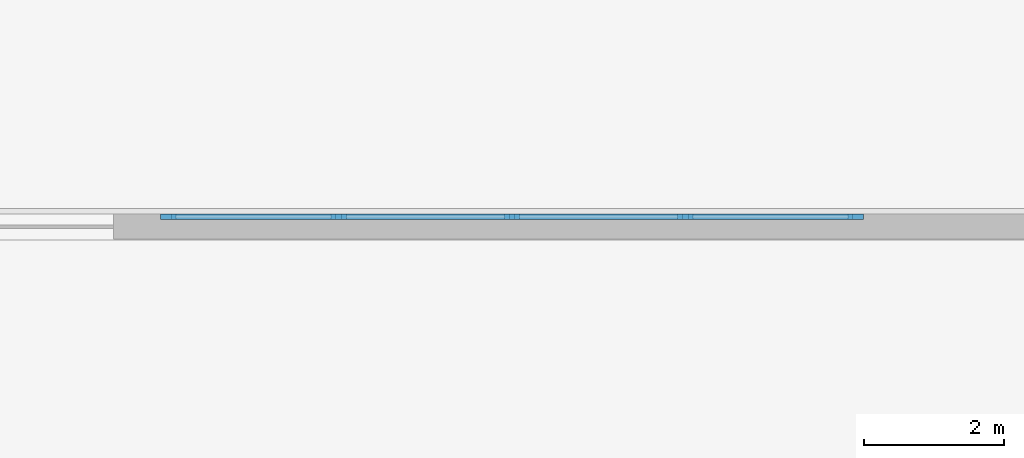
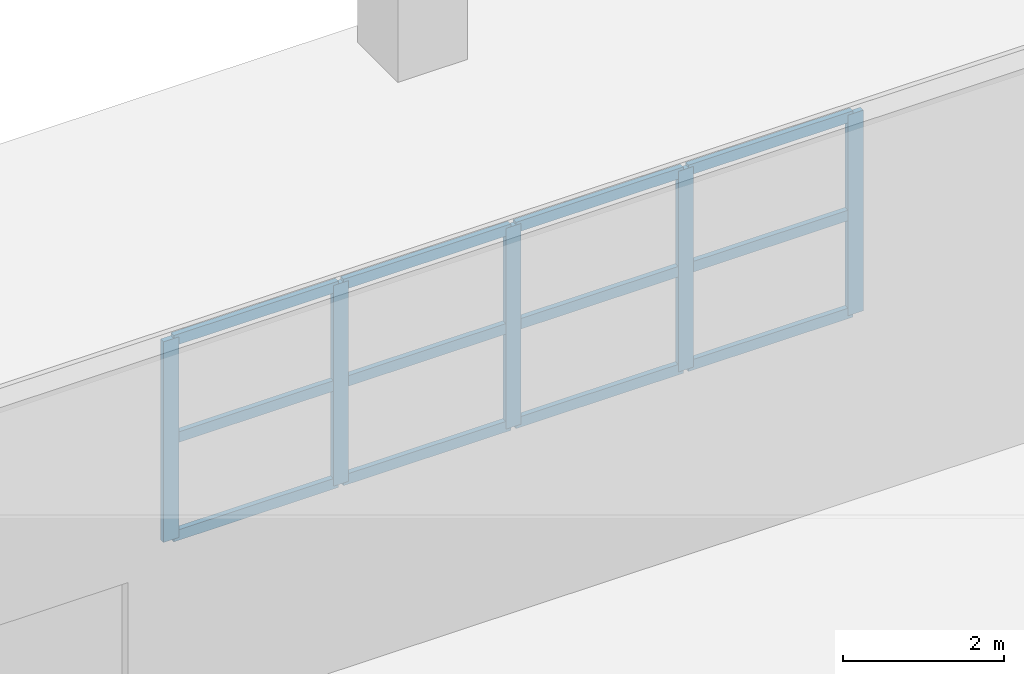
# One storey, part 7 of 24: 17 members, 1 element without a shape of its own.
"""IFC4 building model written with IfcOpenShell, lengths in metres."""

from ifc_helpers import new_model, si_unit, direction, frame, origin, origin_2d, place, context, subcontext, project, spatial, rectangle, extrude, material, layer, layer_set, material_profile, profile_set, type_object, element, aggregate, save


model = new_model("IFC4")

# Units and contexts
model_context = context("Model", 3, precision=1e-05, world=origin(), true_north=direction((0.0, 1.0)))
body_context = subcontext(model_context, "Body", "Model", "MODEL_VIEW")
ifc_project = project(units=[si_unit("LENGTHUNIT", "METRE"), si_unit("AREAUNIT", "SQUARE_METRE"), si_unit("VOLUMEUNIT", "CUBIC_METRE"), si_unit("PLANEANGLEUNIT", "RADIAN"), si_unit("MASSUNIT", "GRAM", prefix="KILO")], contexts=[model_context])

# Site, building, storey
site_placement = place(None, origin())
site = spatial("IfcSite", under=ifc_project, at=site_placement, CompositionType="ELEMENT")
building_placement = place(site_placement, origin())
building = spatial("IfcBuilding", under=site, at=building_placement, Name="Apsidion Concourse Tower", CompositionType="ELEMENT")
storey_placement = place(building_placement, origin())
storey = spatial("IfcBuildingStorey", under=building, at=storey_placement, Name="L00", CompositionType="ELEMENT", Elevation=0.0)

# Curtain wall, members
ifc_material_1 = material(Name="Insulated laminated low-E glass", Category="glass")
ifc_layer = layer(ifc_material_1, 0.18994140625)
ifc_layer_set = layer_set([ifc_layer], Name="Insulated laminated low-E glass")
curtain_wall_type = type_object("IfcCurtainWallType", Name="CW-SYS-01", PredefinedType="NOTDEFINED", material=ifc_layer_set)
curtain_wall_placement = place(storey_placement, origin())
curtain_wall = element("IfcCurtainWall", 1, at=curtain_wall_placement, inside=storey, type_object=curtain_wall_type, Name="L00 Podium Glazed Curtain Wall N", PredefinedType="NOTDEFINED")
ifc_material_2 = material(Name="Anodised aluminium EN AW-6063 T6", Category="aluminium")
ifc_material_profile_1 = material_profile(ifc_material_2, rectangle(XDim=0.074951171875, YDim=0.219970703125, at=origin_2d()), Name="ALU MULLION 75x220")
ifc_profile_set_1 = profile_set([ifc_material_profile_1], Name="Anodised aluminium EN AW-6063 T6")
member_type_1 = type_object("IfcMemberType", Name="CWM-75X220", PredefinedType="MULLION", material=ifc_profile_set_1)
member_1_placement = place(storey_placement, frame((-4.91845703125, 30.43994140625, 2.60009765625), z_axis=(0.0, 0.0, 1.0), x_axis=(0.0, 1.0, 0.0)))
member_1 = element("IfcMember", 2, at=member_1_placement, type_object=member_type_1, Name="CW-01 mullion 1", PredefinedType="MULLION", context=body_context, shape_type="SweptSolid", body=[
    extrude(rectangle(XDim=0.074951171875, YDim=0.219970703125, at=origin_2d()), origin(), (0.0, 0.0, 1.0), 3.0498046875),
])
member_2_placement = place(storey_placement, frame((-2.47802734375, 30.43994140625, 2.60009765625), z_axis=(0.0, 0.0, 1.0), x_axis=(0.0, 1.0, 0.0)))
member_2 = element("IfcMember", 3, at=member_2_placement, type_object=member_type_1, Name="CW-01 mullion 2", PredefinedType="MULLION", context=body_context, shape_type="SweptSolid", body=[
    extrude(rectangle(XDim=0.074951171875, YDim=0.219970703125, at=origin_2d()), origin(), (0.0, 0.0, 1.0), 3.0498046875),
])
member_3_placement = place(storey_placement, frame((0.0, 30.43994140625, 2.60009765625), z_axis=(0.0, 0.0, 1.0), x_axis=(0.0, 1.0, 0.0)))
member_3 = element("IfcMember", 4, at=member_3_placement, type_object=member_type_1, Name="CW-01 mullion 3", PredefinedType="MULLION", context=body_context, shape_type="SweptSolid", body=[
    extrude(rectangle(XDim=0.074951171875, YDim=0.219970703125, at=origin_2d()), origin(), (0.0, 0.0, 1.0), 3.0498046875),
])
member_4_placement = place(storey_placement, frame((2.47802734375, 30.43994140625, 2.60009765625), z_axis=(0.0, 0.0, 1.0), x_axis=(0.0, 1.0, 0.0)))
member_4 = element("IfcMember", 5, at=member_4_placement, type_object=member_type_1, Name="CW-01 mullion 4", PredefinedType="MULLION", context=body_context, shape_type="SweptSolid", body=[
    extrude(rectangle(XDim=0.074951171875, YDim=0.219970703125, at=origin_2d()), origin(), (0.0, 0.0, 1.0), 3.0498046875),
])
member_5_placement = place(storey_placement, frame((4.91845703125, 30.43994140625, 2.60009765625), z_axis=(0.0, 0.0, 1.0), x_axis=(0.0, 1.0, 0.0)))
member_5 = element("IfcMember", 6, at=member_5_placement, type_object=member_type_1, Name="CW-01 mullion 5", PredefinedType="MULLION", context=body_context, shape_type="SweptSolid", body=[
    extrude(rectangle(XDim=0.074951171875, YDim=0.219970703125, at=origin_2d()), origin(), (0.0, 0.0, 1.0), 3.0498046875),
])
ifc_material_profile_2 = material_profile(ifc_material_2, rectangle(XDim=0.074951171875, YDim=0.159912109375, at=origin_2d()), Name="ALU TRANSOM 75x160")
ifc_profile_set_2 = profile_set([ifc_material_profile_2], Name="Anodised aluminium EN AW-6063 T6")
member_type_2 = type_object("IfcMemberType", Name="CWT-75X160", PredefinedType="USERDEFINED", material=ifc_profile_set_2)
member_6_placement = place(storey_placement, frame((-4.881103515625, 30.43994140625, 2.637451171875), z_axis=(1.0, 0.0, 0.0), x_axis=(0.0, 1.0, 0.0)))
member_6 = element("IfcMember", 7, at=member_6_placement, type_object=member_type_2, Name="CW-01 transom 1.1", ObjectType="TRANSOM", PredefinedType="USERDEFINED", context=body_context, shape_type="SweptSolid", body=[
    extrude(rectangle(XDim=0.074951171875, YDim=0.159912109375, at=origin_2d()), origin(), (0.0, 0.0, 1.0), 2.36572265625),
])
member_7_placement = place(storey_placement, frame((-4.881103515625, 30.43994140625, 4.125), z_axis=(1.0, 0.0, 0.0), x_axis=(0.0, 1.0, 0.0)))
member_7 = element("IfcMember", 8, at=member_7_placement, type_object=member_type_2, Name="CW-01 transom 1.2", ObjectType="TRANSOM", PredefinedType="USERDEFINED", context=body_context, shape_type="SweptSolid", body=[
    extrude(rectangle(XDim=0.074951171875, YDim=0.159912109375, at=origin_2d()), origin(), (0.0, 0.0, 1.0), 2.36572265625),
])
member_8_placement = place(storey_placement, frame((-4.881103515625, 30.43994140625, 5.612548828125), z_axis=(1.0, 0.0, 0.0), x_axis=(0.0, 1.0, 0.0)))
member_8 = element("IfcMember", 9, at=member_8_placement, type_object=member_type_2, Name="CW-01 transom 1.3", ObjectType="TRANSOM", PredefinedType="USERDEFINED", context=body_context, shape_type="SweptSolid", body=[
    extrude(rectangle(XDim=0.074951171875, YDim=0.159912109375, at=origin_2d()), origin(), (0.0, 0.0, 1.0), 2.36572265625),
])
member_9_placement = place(storey_placement, frame((-2.4404296875, 30.43994140625, 2.637451171875), z_axis=(1.0, 0.0, 0.0), x_axis=(0.0, 1.0, 0.0)))
member_9 = element("IfcMember", 10, at=member_9_placement, type_object=member_type_2, Name="CW-01 transom 2.1", ObjectType="TRANSOM", PredefinedType="USERDEFINED", context=body_context, shape_type="SweptSolid", body=[
    extrude(rectangle(XDim=0.074951171875, YDim=0.159912109375, at=origin_2d()), origin(), (0.0, 0.0, 1.0), 2.40283203125),
])
member_10_placement = place(storey_placement, frame((-2.4404296875, 30.43994140625, 4.125), z_axis=(1.0, 0.0, 0.0), x_axis=(0.0, 1.0, 0.0)))
member_10 = element("IfcMember", 11, at=member_10_placement, type_object=member_type_2, Name="CW-01 transom 2.2", ObjectType="TRANSOM", PredefinedType="USERDEFINED", context=body_context, shape_type="SweptSolid", body=[
    extrude(rectangle(XDim=0.074951171875, YDim=0.159912109375, at=origin_2d()), origin(), (0.0, 0.0, 1.0), 2.40283203125),
])
member_11_placement = place(storey_placement, frame((-2.4404296875, 30.43994140625, 5.612548828125), z_axis=(1.0, 0.0, 0.0), x_axis=(0.0, 1.0, 0.0)))
member_11 = element("IfcMember", 12, at=member_11_placement, type_object=member_type_2, Name="CW-01 transom 2.3", ObjectType="TRANSOM", PredefinedType="USERDEFINED", context=body_context, shape_type="SweptSolid", body=[
    extrude(rectangle(XDim=0.074951171875, YDim=0.159912109375, at=origin_2d()), origin(), (0.0, 0.0, 1.0), 2.40283203125),
])
member_12_placement = place(storey_placement, frame((0.03759765625, 30.43994140625, 2.637451171875), z_axis=(1.0, 0.0, 0.0), x_axis=(0.0, 1.0, 0.0)))
member_12 = element("IfcMember", 13, at=member_12_placement, type_object=member_type_2, Name="CW-01 transom 3.1", ObjectType="TRANSOM", PredefinedType="USERDEFINED", context=body_context, shape_type="SweptSolid", body=[
    extrude(rectangle(XDim=0.074951171875, YDim=0.159912109375, at=origin_2d()), origin(), (0.0, 0.0, 1.0), 2.40283203125),
])
member_13_placement = place(storey_placement, frame((0.03759765625, 30.43994140625, 4.125), z_axis=(1.0, 0.0, 0.0), x_axis=(0.0, 1.0, 0.0)))
member_13 = element("IfcMember", 14, at=member_13_placement, type_object=member_type_2, Name="CW-01 transom 3.2", ObjectType="TRANSOM", PredefinedType="USERDEFINED", context=body_context, shape_type="SweptSolid", body=[
    extrude(rectangle(XDim=0.074951171875, YDim=0.159912109375, at=origin_2d()), origin(), (0.0, 0.0, 1.0), 2.40283203125),
])
member_14_placement = place(storey_placement, frame((0.03759765625, 30.43994140625, 5.612548828125), z_axis=(1.0, 0.0, 0.0), x_axis=(0.0, 1.0, 0.0)))
member_14 = element("IfcMember", 15, at=member_14_placement, type_object=member_type_2, Name="CW-01 transom 3.3", ObjectType="TRANSOM", PredefinedType="USERDEFINED", context=body_context, shape_type="SweptSolid", body=[
    extrude(rectangle(XDim=0.074951171875, YDim=0.159912109375, at=origin_2d()), origin(), (0.0, 0.0, 1.0), 2.40283203125),
])
member_15_placement = place(storey_placement, frame((2.515380859375, 30.43994140625, 2.637451171875), z_axis=(1.0, 0.0, 0.0), x_axis=(0.0, 1.0, 0.0)))
member_15 = element("IfcMember", 16, at=member_15_placement, type_object=member_type_2, Name="CW-01 transom 4.1", ObjectType="TRANSOM", PredefinedType="USERDEFINED", context=body_context, shape_type="SweptSolid", body=[
    extrude(rectangle(XDim=0.074951171875, YDim=0.159912109375, at=origin_2d()), origin(), (0.0, 0.0, 1.0), 2.36572265625),
])
member_16_placement = place(storey_placement, frame((2.515380859375, 30.43994140625, 4.125), z_axis=(1.0, 0.0, 0.0), x_axis=(0.0, 1.0, 0.0)))
member_16 = element("IfcMember", 17, at=member_16_placement, type_object=member_type_2, Name="CW-01 transom 4.2", ObjectType="TRANSOM", PredefinedType="USERDEFINED", context=body_context, shape_type="SweptSolid", body=[
    extrude(rectangle(XDim=0.074951171875, YDim=0.159912109375, at=origin_2d()), origin(), (0.0, 0.0, 1.0), 2.36572265625),
])
member_17_placement = place(storey_placement, frame((2.515380859375, 30.43994140625, 5.612548828125), z_axis=(1.0, 0.0, 0.0), x_axis=(0.0, 1.0, 0.0)))
member_17 = element("IfcMember", 18, at=member_17_placement, type_object=member_type_2, Name="CW-01 transom 4.3", ObjectType="TRANSOM", PredefinedType="USERDEFINED", context=body_context, shape_type="SweptSolid", body=[
    extrude(rectangle(XDim=0.074951171875, YDim=0.159912109375, at=origin_2d()), origin(), (0.0, 0.0, 1.0), 2.36572265625),
])
aggregate(curtain_wall, [member_1, member_2, member_3, member_4, member_5, member_6, member_7, member_8, member_9, member_10, member_11, member_12, member_13, member_14, member_15, member_16, member_17])

save(model, "model.ifc")
